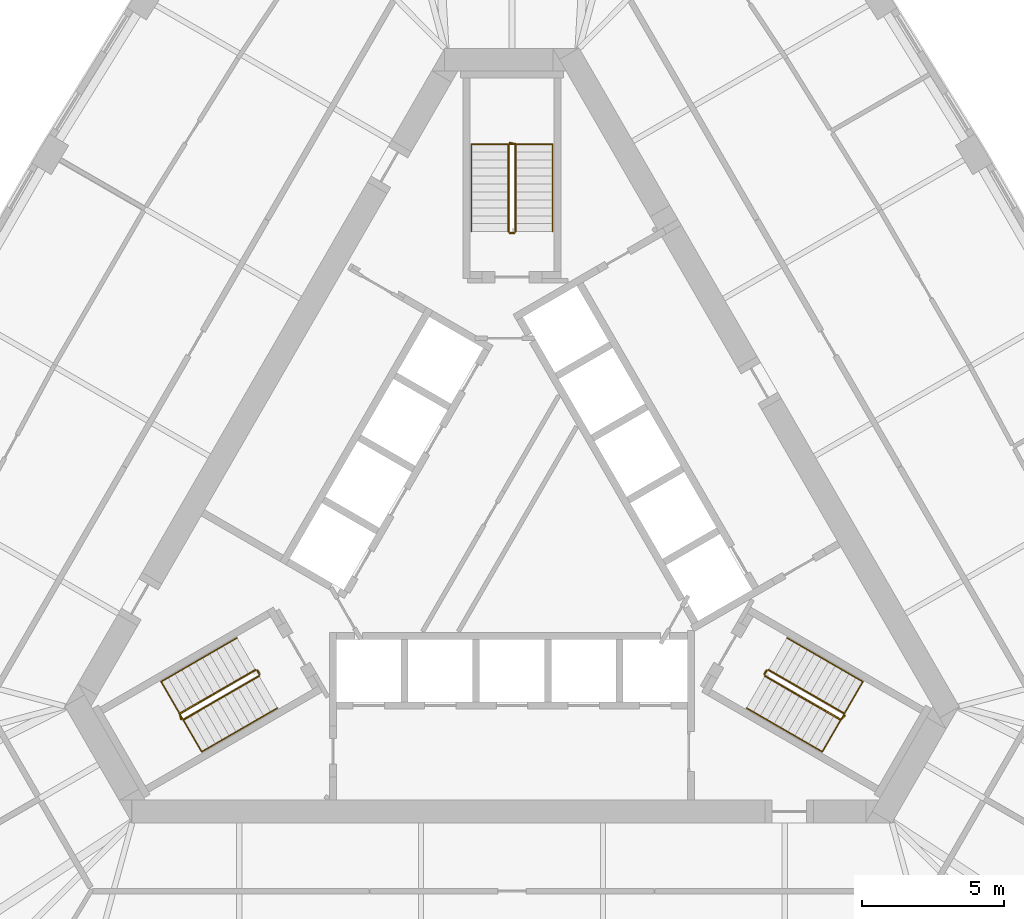
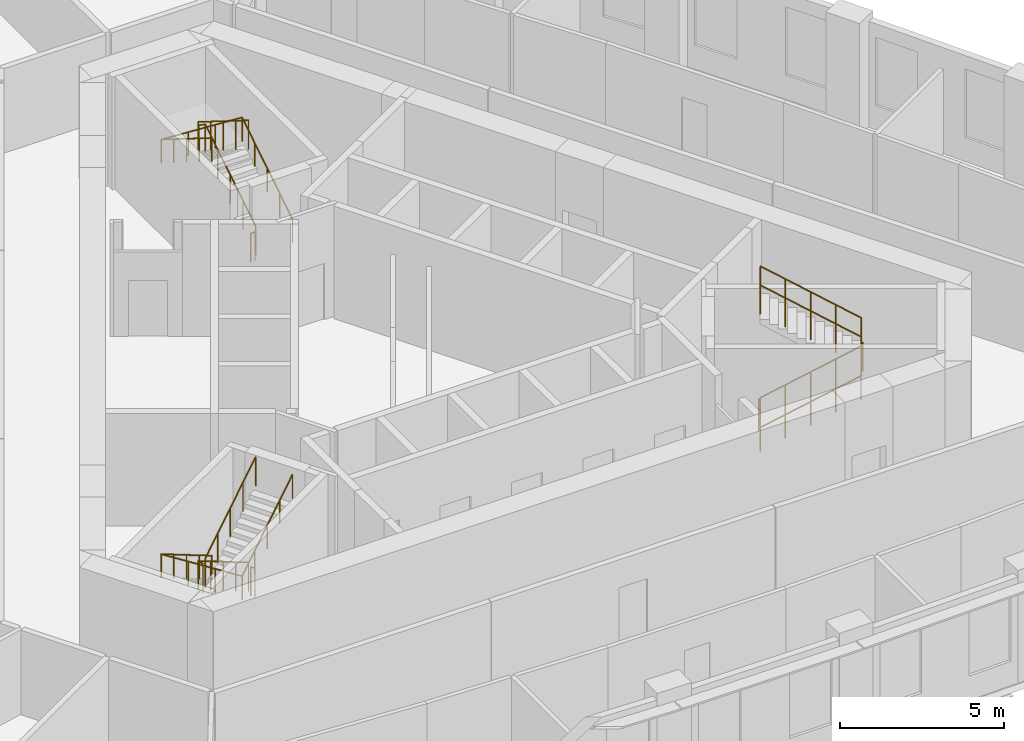
# One storey, part 10 of 10: 12 railings.
"""IFC4 building model written with IfcOpenShell, lengths in metres."""

import ifcopenshell
import ifcopenshell.guid

model = None  # the IFC model being written
_history = None  # IfcOwnerHistory: only IFC2X3 demands one
_inside = {}  # id of a spatial element -> (the spatial element, [elements in it])
_under = {}  # id of a project, library or spatial element -> (it, [spatial elements below it])
_declared = {}  # id of a project -> (the project, [libraries it declares])
_typed = {}  # id of a type object -> (the type object, [elements of that type])
_made_of = {}  # id of a material, layer set ... -> (it, [elements and type objects made of it])


def new_model(schema):
    """Start an empty IFC model of exactly this schema.

    Asked for "IFC4X3", IfcOpenShell would pick the latest addendum, in which some entities
    have other attributes; the version numbers below select the first issue.
    IFC2X3 requires an IfcOwnerHistory on every rooted entity: one is made here for all.
    """
    global model, _history
    if schema == "IFC4X3":
        model = ifcopenshell.file(schema_version=(4, 3, 0, 0))
    else:
        model = ifcopenshell.file(schema=schema)
    _inside.clear()
    _under.clear()
    _declared.clear()
    _typed.clear()
    _made_of.clear()
    _history = None
    if model.schema == "IFC2X3":
        org = make("IfcOrganization", Name="unknown")
        user = make(
            "IfcPersonAndOrganization",
            ThePerson=make("IfcPerson", FamilyName="unknown"),
            TheOrganization=org,
        )
        app = make(
            "IfcApplication",
            ApplicationDeveloper=org,
            Version="unknown",
            ApplicationFullName="unknown",
            ApplicationIdentifier="unknown",
        )
        _history = make(
            "IfcOwnerHistory",
            OwningUser=user,
            OwningApplication=app,
            ChangeAction="ADDED",
            CreationDate=0,
        )
    return model


def make(cls, **values):
    """One entity of the class cls with the attributes given. An attribute that is None is left unset."""
    return model.create_entity(
        cls, **{name: value for name, value in values.items() if value is not None}
    )


def rooted(cls, **values):
    """An entity with a GlobalId (a new one), such as an element, a storey or a relation."""
    return make(cls, GlobalId=ifcopenshell.guid.new(), OwnerHistory=_history, **values)


def si_unit(unit_type, name, prefix=None):
    """IfcSIUnit, for example si_unit("LENGTHUNIT", "METRE", prefix="MILLI")."""
    return make("IfcSIUnit", UnitType=unit_type, Prefix=prefix, Name=name)


def assignment(units):
    """IfcUnitAssignment: the units of a project."""
    return None if units is None else make("IfcUnitAssignment", Units=units)


def point(xyz):
    """IfcCartesianPoint."""
    return None if xyz is None else make("IfcCartesianPoint", Coordinates=xyz)


def direction(xyz):
    """IfcDirection."""
    return None if xyz is None else make("IfcDirection", DirectionRatios=xyz)


def frame(location, z_axis=None, x_axis=None):
    """IfcAxis2Placement3D, a coordinate frame: its origin and axes. An axis left out is left unset."""
    return make(
        "IfcAxis2Placement3D",
        Location=point(location),
        Axis=direction(z_axis),
        RefDirection=direction(x_axis),
    )


def frame_2d(location, x_axis=None):
    """IfcAxis2Placement2D, a coordinate frame in the plane: its origin and x axis."""
    return make(
        "IfcAxis2Placement2D", Location=point(location), RefDirection=direction(x_axis)
    )


def origin():
    """The frame at (0, 0, 0) with its axes left unset."""
    return frame((0.0, 0.0, 0.0))


def origin_2d():
    """The frame at (0, 0) in the plane with its x axis left unset."""
    return frame_2d((0.0, 0.0))


def place(relative_to, where):
    """IfcLocalPlacement: puts the frame where relative to a parent placement (None: the world)."""
    return make(
        "IfcLocalPlacement", PlacementRelTo=relative_to, RelativePlacement=where
    )


def context(
    kind, dimensions, precision=None, world=None, true_north=None, identifier=None
):
    """IfcGeometricRepresentationContext, for example the 3D "Model" context."""
    return make(
        "IfcGeometricRepresentationContext",
        ContextIdentifier=identifier,
        ContextType=kind,
        CoordinateSpaceDimension=dimensions,
        Precision=precision,
        WorldCoordinateSystem=world,
        TrueNorth=true_north,
    )


def subcontext(parent, identifier, kind, view, scale=None):
    """IfcGeometricRepresentationSubContext, for example "Body" below "Model"."""
    return make(
        "IfcGeometricRepresentationSubContext",
        ContextIdentifier=identifier,
        ContextType=kind,
        ParentContext=parent,
        TargetScale=scale,
        TargetView=view,
    )


def project(units=None, contexts=None):
    """IfcProject with its units and contexts."""
    return rooted(
        "IfcProject",
        Name="project",
        RepresentationContexts=contexts,
        UnitsInContext=assignment(units),
    )


def spatial(cls, under=None, at=None, **own):
    """A site, building, storey or space (cls), placed at a placement, below another one or the project."""
    s = rooted(cls, ObjectPlacement=at, **own)
    if under is not None:
        _under.setdefault(under.id(), (under, []))[1].append(s)
    return s


def profile(cls, at=None, kind="AREA", **sizes):
    """A parametric profile (cls). Its sizes go by their IFC names, for example OverallWidth=200.0."""
    return make(cls, ProfileType=kind, Position=at, **sizes)


def circle(**sizes):
    """IfcCircleProfileDef."""
    return profile("IfcCircleProfileDef", **sizes)


def extrude(swept, where, along, depth):
    """IfcExtrudedAreaSolid: the profile swept, set in the frame where, extruded along a direction by depth."""
    return make(
        "IfcExtrudedAreaSolid",
        SweptArea=swept,
        Position=where,
        ExtrudedDirection=direction(along),
        Depth=depth,
    )


def shape(context_of_items, identifier, shape_type, items):
    """IfcShapeRepresentation: the items that make up one representation, for example the "Body"."""
    return make(
        "IfcShapeRepresentation",
        ContextOfItems=context_of_items,
        RepresentationIdentifier=identifier,
        RepresentationType=shape_type,
        Items=items,
    )


def material(Name=None, Category=None):
    """IfcMaterial."""
    return make("IfcMaterial", Name=Name, Category=Category)


def made_of(thing, what):
    """Note that an element or type object is made of a material, layer set ...; save() writes the relation."""
    if what is not None:
        _made_of.setdefault(what.id(), (what, []))[1].append(thing)
    return thing


def type_object(cls, material=None, **own):
    """A type object (cls), such as IfcWallType, which elements share."""
    return made_of(rooted(cls, **own), material)


def element(
    cls,
    number,
    at=None,
    inside=None,
    cuts=None,
    type_object=None,
    material=None,
    context=None,
    identifier="Body",
    shape_type=None,
    held_by="IfcProductDefinitionShape",
    body=None,
    shapes=None,
    **own,
):
    """One element of the class cls, such as IfcWall. Its Tag is "e" and its number.

    at: its placement. inside: the storey or other place that contains it. cuts: it is an
    opening in that element (IfcRelVoidsElement). A single representation is given by context,
    identifier, shape_type and body (its items); several are given by shapes. held_by: the class
    of the entity that holds the representations. save() writes the other relations.
    """
    e = rooted(cls, Tag="e%d" % number, ObjectPlacement=at, **own)
    if body is not None:
        shapes = [shape(context, identifier, shape_type, body)]
    if shapes is not None:
        e.Representation = make(held_by, Representations=shapes)
    if inside is not None:
        _inside.setdefault(inside.id(), (inside, []))[1].append(e)
    if cuts is not None:
        rooted(
            "IfcRelVoidsElement", RelatingBuildingElement=cuts, RelatedOpeningElement=e
        )
    if type_object is not None:
        _typed.setdefault(type_object.id(), (type_object, []))[1].append(e)
    return made_of(e, material)


def aggregate(whole, parts):
    """IfcRelAggregates: a whole, such as a stair, and the parts it consists of."""
    return rooted("IfcRelAggregates", RelatingObject=whole, RelatedObjects=parts)


def save(model, path):
    """Write the relations noted so far, then the file.

    IfcRelAggregates (storeys below a building ...), IfcRelContainedInSpatialStructure (elements
    in a storey), IfcRelDefinesByType, IfcRelAssociatesMaterial and IfcRelDeclares: one each for
    every whole, place, type object, material and project.
    """
    for whole, parts in _under.values():
        aggregate(whole, parts)
    for where, things in _inside.values():
        rooted(
            "IfcRelContainedInSpatialStructure",
            RelatedElements=things,
            RelatingStructure=where,
        )
    for kind, things in _typed.values():
        rooted("IfcRelDefinesByType", RelatedObjects=things, RelatingType=kind)
    for what, things in _made_of.values():
        rooted("IfcRelAssociatesMaterial", RelatedObjects=things, RelatingMaterial=what)
    for by, libraries in _declared.values():
        rooted("IfcRelDeclares", RelatingContext=by, RelatedDefinitions=libraries)
    model.write(path)


model = new_model("IFC4")

# Units and contexts
model_context = context("Model", 3, precision=1e-05, world=origin(), true_north=direction((0.0, 1.0)))
body_context = subcontext(model_context, "Body", "Model", "MODEL_VIEW")
ifc_project = project(units=[si_unit("LENGTHUNIT", "METRE"), si_unit("AREAUNIT", "SQUARE_METRE"), si_unit("VOLUMEUNIT", "CUBIC_METRE"), si_unit("PLANEANGLEUNIT", "RADIAN"), si_unit("MASSUNIT", "GRAM", prefix="KILO")], contexts=[model_context])

# Site, building, storey
site_placement = place(None, origin())
site = spatial("IfcSite", under=ifc_project, at=site_placement, CompositionType="ELEMENT")
building_placement = place(site_placement, origin())
building = spatial("IfcBuilding", under=site, at=building_placement, Name="Mestral Congress Tower", CompositionType="ELEMENT")
storey_placement = place(building_placement, frame((0.0, 0.0, 145.800048828125)))
storey = spatial("IfcBuildingStorey", under=building, at=storey_placement, Name="L34", CompositionType="ELEMENT", Elevation=145.800048828125)

# Railings
ifc_material_1 = material(Name="Steel balustrade", Category="steel")
railing_type_1 = type_object("IfcRailingType", Name="Stair guard 1100", PredefinedType="GUARDRAIL", material=ifc_material_1)
railing_1_placement = place(storey_placement, frame((8.90087890625, -5.283203125, 0.175048828125)))
element("IfcRailing", 1, at=railing_1_placement, inside=storey, type_object=railing_type_1, Name="L34 ST1 stair guard 1", PredefinedType="GUARDRAIL", context=body_context, shape_type="SweptSolid", body=[
    extrude(circle(Radius=0.02392578125, at=origin_2d()), frame((0.0, 0.0, 1.076171875), z_axis=(0.734390191396, -0.42403051051, 0.529970917068), x_axis=(0.500026652407, 0.866010015463, 0.0)), (0.0, 0.0, 1.0), 3.6318359375),
    extrude(circle(Radius=0.02392578125, at=origin_2d()), frame((2.667236328125, -1.5400390625, 3.0009765625), z_axis=(0.695164929852, 0.718850276695, 0.0), x_axis=(-0.718850276695, 0.695164929852, 0.0)), (0.0, 0.0, 1.0), 0.2060546875),
    extrude(circle(Radius=0.02099609375, at=origin_2d()), origin(), (0.0, 0.0, 1.0), 1.052001953125),
    extrude(circle(Radius=0.02099609375, at=origin_2d()), frame((0.666748046875, -0.385009765625, 0.481201171875)), (0.0, 0.0, 1.0), 1.052001953125),
    extrude(circle(Radius=0.02099609375, at=origin_2d()), frame((1.33349609375, -0.77001953125, 0.96240234375)), (0.0, 0.0, 1.0), 1.052001953125),
    extrude(circle(Radius=0.02099609375, at=origin_2d()), frame((2.00048828125, -1.155029296875, 1.443603515625)), (0.0, 0.0, 1.0), 1.052001953125),
    extrude(circle(Radius=0.02099609375, at=origin_2d()), frame((2.667236328125, -1.5400390625, 1.9248046875)), (0.0, 0.0, 1.0), 1.052001953125),
    extrude(circle(Radius=0.02099609375, at=origin_2d()), frame((2.810546875, -1.391845703125, 1.9248046875)), (0.0, 0.0, 1.0), 1.052001953125),
])
railing_2_placement = place(storey_placement, frame((11.693115234375, -6.606689453125, 2.27490234375)))
element("IfcRailing", 2, at=railing_2_placement, inside=storey, type_object=railing_type_1, Name="L34 ST1 stair guard 2", PredefinedType="GUARDRAIL", context=body_context, shape_type="SweptSolid", body=[
    extrude(circle(Radius=0.02392578125, at=origin_2d()), frame((0.0, 0.0, 1.076171875), z_axis=(-0.734364028329, 0.424015404183, 0.530019255228), x_axis=(-0.500026652407, -0.866010015463, 0.0)), (0.0, 0.0, 1.0), 3.632080078125),
    extrude(circle(Radius=0.02099609375, at=origin_2d()), origin(), (0.0, 0.0, 1.0), 1.052001953125),
    extrude(circle(Radius=0.02099609375, at=origin_2d()), frame((-0.666748046875, 0.385009765625, 0.481201171875)), (0.0, 0.0, 1.0), 1.052001953125),
    extrude(circle(Radius=0.02099609375, at=origin_2d()), frame((-1.33349609375, 0.77001953125, 0.96240234375)), (0.0, 0.0, 1.0), 1.052001953125),
    extrude(circle(Radius=0.02099609375, at=origin_2d()), frame((-2.00048828125, 1.155029296875, 1.44384765625)), (0.0, 0.0, 1.0), 1.052001953125),
    extrude(circle(Radius=0.02099609375, at=origin_2d()), frame((-2.667236328125, 1.5400390625, 1.925048828125)), (0.0, 0.0, 1.0), 1.052001953125),
])
railing_3_placement = place(storey_placement, frame((8.882568359375, -5.21484375, 0.0)))
element("IfcRailing", 3, at=railing_3_placement, inside=storey, type_object=railing_type_1, Name="L34 ST1 stair guard 3", PredefinedType="GUARDRAIL", context=body_context, shape_type="SweptSolid", body=[
    extrude(circle(Radius=0.02392578125, at=origin_2d()), frame((0.0, 0.0, 1.076171875), z_axis=(0.499816412211, 0.866131372301, 0.0), x_axis=(-0.866131372301, 0.499816412211, 0.0)), (0.0, 0.0, 1.0), 0.14990234375),
    extrude(circle(Radius=0.02099609375, at=origin_2d()), origin(), (0.0, 0.0, 1.0), 1.052001953125),
    extrude(circle(Radius=0.02099609375, at=origin_2d()), frame((0.074951171875, 0.1298828125, 0.0)), (0.0, 0.0, 1.0), 1.052001953125),
])
railing_4_placement = place(storey_placement, frame((0.125, 10.35009765625, 0.175048828125)))
element("IfcRailing", 4, at=railing_4_placement, inside=storey, type_object=railing_type_1, Name="L34 ST2 stair guard 1", PredefinedType="GUARDRAIL", context=body_context, shape_type="SweptSolid", body=[
    extrude(circle(Radius=0.02392578125, at=origin_2d()), frame((0.0, 0.0, 1.076171875), z_axis=(0.0, 0.848009633417, 0.529980812513), x_axis=(-1.0, 0.0, 0.0)), (0.0, 0.0, 1.0), 3.6318359375),
    extrude(circle(Radius=0.02392578125, at=origin_2d()), frame((0.0, 3.079833984375, 3.0009765625), z_axis=(-0.970072785993, 0.242814311512, 0.0), x_axis=(-0.242814311512, -0.970072785993, 0.0)), (0.0, 0.0, 1.0), 0.2060546875),
    extrude(circle(Radius=0.02099609375, at=origin_2d()), origin(), (0.0, 0.0, 1.0), 1.052001953125),
    extrude(circle(Radius=0.02099609375, at=origin_2d()), frame((0.0, 0.77001953125, 0.481201171875)), (0.0, 0.0, 1.0), 1.052001953125),
    extrude(circle(Radius=0.02099609375, at=origin_2d()), frame((0.0, 1.5400390625, 0.96240234375)), (0.0, 0.0, 1.0), 1.052001953125),
    extrude(circle(Radius=0.02099609375, at=origin_2d()), frame((0.0, 2.309814453125, 1.443603515625)), (0.0, 0.0, 1.0), 1.052001953125),
    extrude(circle(Radius=0.02099609375, at=origin_2d()), frame((0.0, 3.079833984375, 1.9248046875)), (0.0, 0.0, 1.0), 1.052001953125),
    extrude(circle(Radius=0.02099609375, at=origin_2d()), frame((-0.199951171875, 3.1298828125, 1.9248046875)), (0.0, 0.0, 1.0), 1.052001953125),
])
railing_5_placement = place(storey_placement, frame((-0.125, 13.429931640625, 2.27490234375)))
element("IfcRailing", 5, at=railing_5_placement, inside=storey, type_object=railing_type_1, Name="L34 ST2 stair guard 2", PredefinedType="GUARDRAIL", context=body_context, shape_type="SweptSolid", body=[
    extrude(circle(Radius=0.02392578125, at=origin_2d()), frame((0.0, 0.0, 1.076171875), z_axis=(0.0, -0.847979421464, 0.530029150871), x_axis=(1.0, 0.0, 0.0)), (0.0, 0.0, 1.0), 3.632080078125),
    extrude(circle(Radius=0.02099609375, at=origin_2d()), origin(), (0.0, 0.0, 1.0), 1.052001953125),
    extrude(circle(Radius=0.02099609375, at=origin_2d()), frame((0.0, -0.77001953125, 0.481201171875)), (0.0, 0.0, 1.0), 1.052001953125),
    extrude(circle(Radius=0.02099609375, at=origin_2d()), frame((0.0, -1.5400390625, 0.96240234375)), (0.0, 0.0, 1.0), 1.052001953125),
    extrude(circle(Radius=0.02099609375, at=origin_2d()), frame((0.0, -2.309814453125, 1.44384765625)), (0.0, 0.0, 1.0), 1.052001953125),
    extrude(circle(Radius=0.02099609375, at=origin_2d()), frame((0.0, -3.079833984375, 1.925048828125)), (0.0, 0.0, 1.0), 1.052001953125),
])
railing_6_placement = place(storey_placement, frame((0.074951171875, 10.300048828125, 0.0)))
element("IfcRailing", 6, at=railing_6_placement, inside=storey, type_object=railing_type_1, Name="L34 ST2 stair guard 3", PredefinedType="GUARDRAIL", context=body_context, shape_type="SweptSolid", body=[
    extrude(circle(Radius=0.02392578125, at=origin_2d()), frame((0.0, 0.0, 1.076171875), z_axis=(-1.0, 0.0, 0.0), x_axis=(0.0, -1.0, 0.0)), (0.0, 0.0, 1.0), 0.14990234375),
    extrude(circle(Radius=0.02099609375, at=origin_2d()), origin(), (0.0, 0.0, 1.0), 1.052001953125),
    extrude(circle(Radius=0.02099609375, at=origin_2d()), frame((-0.14990234375, 0.0, 0.0)), (0.0, 0.0, 1.0), 1.052001953125),
])
railing_7_placement = place(storey_placement, frame((-9.02587890625, -5.066650390625, 0.175048828125)))
element("IfcRailing", 7, at=railing_7_placement, inside=storey, type_object=railing_type_1, Name="L34 ST3 stair guard 1", PredefinedType="GUARDRAIL", context=body_context, shape_type="SweptSolid", body=[
    extrude(circle(Radius=0.02392578125, at=origin_2d()), frame((0.0, 0.0, 1.076171875), z_axis=(-0.734390191396, -0.42403051051, 0.529970917068), x_axis=(0.500026652407, -0.866010015463, 0.0)), (0.0, 0.0, 1.0), 3.6318359375),
    extrude(circle(Radius=0.02392578125, at=origin_2d()), frame((-2.667236328125, -1.5400390625, 3.0009765625), z_axis=(0.274721127897, -0.961523947641, 0.0), x_axis=(0.961523947641, 0.274721127897, 0.0)), (0.0, 0.0, 1.0), 0.2060546875),
    extrude(circle(Radius=0.02099609375, at=origin_2d()), origin(), (0.0, 0.0, 1.0), 1.052001953125),
    extrude(circle(Radius=0.02099609375, at=origin_2d()), frame((-0.666748046875, -0.385009765625, 0.481201171875)), (0.0, 0.0, 1.0), 1.052001953125),
    extrude(circle(Radius=0.02099609375, at=origin_2d()), frame((-1.33349609375, -0.77001953125, 0.96240234375)), (0.0, 0.0, 1.0), 1.052001953125),
    extrude(circle(Radius=0.02099609375, at=origin_2d()), frame((-2.00048828125, -1.155029296875, 1.443603515625)), (0.0, 0.0, 1.0), 1.052001953125),
    extrude(circle(Radius=0.02099609375, at=origin_2d()), frame((-2.667236328125, -1.5400390625, 1.9248046875)), (0.0, 0.0, 1.0), 1.052001953125),
    extrude(circle(Radius=0.02099609375, at=origin_2d()), frame((-2.610595703125, -1.73828125, 1.9248046875)), (0.0, 0.0, 1.0), 1.052001953125),
])
railing_8_placement = place(storey_placement, frame((-11.568115234375, -6.8232421875, 2.27490234375)))
element("IfcRailing", 8, at=railing_8_placement, inside=storey, type_object=railing_type_1, Name="L34 ST3 stair guard 2", PredefinedType="GUARDRAIL", context=body_context, shape_type="SweptSolid", body=[
    extrude(circle(Radius=0.02392578125, at=origin_2d()), frame((0.0, 0.0, 1.076171875), z_axis=(0.734364028329, 0.424015404183, 0.530019255228), x_axis=(-0.500026652407, 0.866010015463, 0.0)), (0.0, 0.0, 1.0), 3.632080078125),
    extrude(circle(Radius=0.02099609375, at=origin_2d()), origin(), (0.0, 0.0, 1.0), 1.052001953125),
    extrude(circle(Radius=0.02099609375, at=origin_2d()), frame((0.666748046875, 0.385009765625, 0.481201171875)), (0.0, 0.0, 1.0), 1.052001953125),
    extrude(circle(Radius=0.02099609375, at=origin_2d()), frame((1.33349609375, 0.77001953125, 0.96240234375)), (0.0, 0.0, 1.0), 1.052001953125),
    extrude(circle(Radius=0.02099609375, at=origin_2d()), frame((2.00048828125, 1.155029296875, 1.44384765625)), (0.0, 0.0, 1.0), 1.052001953125),
    extrude(circle(Radius=0.02099609375, at=origin_2d()), frame((2.667236328125, 1.5400390625, 1.925048828125)), (0.0, 0.0, 1.0), 1.052001953125),
])
railing_9_placement = place(storey_placement, frame((-8.95751953125, -5.0849609375, 0.0)))
element("IfcRailing", 9, at=railing_9_placement, inside=storey, type_object=railing_type_1, Name="L34 ST3 stair guard 3", PredefinedType="GUARDRAIL", context=body_context, shape_type="SweptSolid", body=[
    extrude(circle(Radius=0.02392578125, at=origin_2d()), frame((0.0, 0.0, 1.076171875), z_axis=(0.499816412211, -0.866131372301, 0.0), x_axis=(0.866131372301, 0.499816412211, 0.0)), (0.0, 0.0, 1.0), 0.14990234375),
    extrude(circle(Radius=0.02099609375, at=origin_2d()), origin(), (0.0, 0.0, 1.0), 1.052001953125),
    extrude(circle(Radius=0.02099609375, at=origin_2d()), frame((0.074951171875, -0.1298828125, 0.0)), (0.0, 0.0, 1.0), 1.052001953125),
])
ifc_material_2 = material(Name="Steel handrail", Category="steel")
railing_type_2 = type_object("IfcRailingType", Name="Stair handrail 900", PredefinedType="HANDRAIL", material=ifc_material_2)
railing_10_placement = place(storey_placement, frame((8.2509765625, -6.4091796875, 0.175048828125)))
element("IfcRailing", 10, at=railing_10_placement, inside=storey, type_object=railing_type_2, Name="L34 ST1 stair handrail 1", PredefinedType="HANDRAIL", context=body_context, shape_type="SweptSolid", body=[
    extrude(circle(Radius=0.02392578125, at=origin_2d()), frame((0.0, 0.0, 0.8759765625), z_axis=(0.734411123532, -0.423975373557, 0.529986022693), x_axis=(0.499967199496, 0.866044340336, 0.0)), (0.0, 0.0, 1.0), 3.6318359375),
    extrude(circle(Radius=0.02392578125, at=origin_2d()), frame((2.667236328125, -1.539794921875, 2.80078125), z_axis=(0.499095769026, 0.864375386171, 0.061307463833), x_axis=(-0.866004402611, 0.500036373335, 0.0)), (0.0, 0.0, 1.0), 2.855224609375),
    extrude(circle(Radius=0.02392578125, at=origin_2d()), frame((4.09228515625, 0.92822265625, 2.9755859375), z_axis=(-0.734394994316, 0.423994474112, 0.52999309264), x_axis=(-0.499992328818, -0.866029832698, 0.0)), (0.0, 0.0, 1.0), 3.63232421875),
    extrude(circle(Radius=0.02099609375, at=origin_2d()), origin(), (0.0, 0.0, 1.0), 0.851806640625),
    extrude(circle(Radius=0.02099609375, at=origin_2d()), frame((0.666748046875, -0.385009765625, 0.481201171875)), (0.0, 0.0, 1.0), 0.851806640625),
    extrude(circle(Radius=0.02099609375, at=origin_2d()), frame((1.33349609375, -0.77001953125, 0.96240234375)), (0.0, 0.0, 1.0), 0.851806640625),
    extrude(circle(Radius=0.02099609375, at=origin_2d()), frame((2.00048828125, -1.15478515625, 1.443603515625)), (0.0, 0.0, 1.0), 0.851806640625),
    extrude(circle(Radius=0.02099609375, at=origin_2d()), frame((2.667236328125, -1.539794921875, 1.9248046875)), (0.0, 0.0, 1.0), 0.851806640625),
    extrude(circle(Radius=0.02099609375, at=origin_2d()), frame((3.142333984375, -0.717041015625, 1.983154296875)), (0.0, 0.0, 1.0), 0.851806640625),
    extrude(circle(Radius=0.02099609375, at=origin_2d()), frame((3.6171875, 0.10546875, 2.04150390625)), (0.0, 0.0, 1.0), 0.851806640625),
    extrude(circle(Radius=0.02099609375, at=origin_2d()), frame((4.09228515625, 0.92822265625, 2.099853515625)), (0.0, 0.0, 1.0), 0.851806640625),
    extrude(circle(Radius=0.02099609375, at=origin_2d()), frame((3.42529296875, 1.313232421875, 2.5810546875)), (0.0, 0.0, 1.0), 0.851806640625),
    extrude(circle(Radius=0.02099609375, at=origin_2d()), frame((2.758544921875, 1.6982421875, 3.0625)), (0.0, 0.0, 1.0), 0.851806640625),
    extrude(circle(Radius=0.02099609375, at=origin_2d()), frame((2.091796875, 2.083251953125, 3.543701171875)), (0.0, 0.0, 1.0), 0.851806640625),
    extrude(circle(Radius=0.02099609375, at=origin_2d()), frame((1.4248046875, 2.46826171875, 4.02490234375)), (0.0, 0.0, 1.0), 0.851806640625),
])
railing_11_placement = place(storey_placement, frame((1.425048828125, 10.35009765625, 0.175048828125)))
element("IfcRailing", 11, at=railing_11_placement, inside=storey, type_object=railing_type_2, Name="L34 ST2 stair handrail 1", PredefinedType="HANDRAIL", context=body_context, shape_type="SweptSolid", body=[
    extrude(circle(Radius=0.02392578125, at=origin_2d()), frame((0.0, 0.0, 0.8759765625), z_axis=(0.0, 0.848009633417, 0.529980812513), x_axis=(-1.0, 0.0, 0.0)), (0.0, 0.0, 1.0), 3.6318359375),
    extrude(circle(Radius=0.02392578125, at=origin_2d()), frame((0.0, 3.079833984375, 2.80078125), z_axis=(-0.998119201106, 0.0, 0.061303021003), x_axis=(0.0, -1.0, 0.0)), (0.0, 0.0, 1.0), 2.85546875),
    extrude(circle(Radius=0.02392578125, at=origin_2d()), frame((-2.85009765625, 3.079833984375, 2.9755859375), z_axis=(0.0, -0.847979421464, 0.530029150871), x_axis=(1.0, 0.0, 0.0)), (0.0, 0.0, 1.0), 3.632080078125),
    extrude(circle(Radius=0.02099609375, at=origin_2d()), origin(), (0.0, 0.0, 1.0), 0.851806640625),
    extrude(circle(Radius=0.02099609375, at=origin_2d()), frame((0.0, 0.77001953125, 0.481201171875)), (0.0, 0.0, 1.0), 0.851806640625),
    extrude(circle(Radius=0.02099609375, at=origin_2d()), frame((0.0, 1.5400390625, 0.96240234375)), (0.0, 0.0, 1.0), 0.851806640625),
    extrude(circle(Radius=0.02099609375, at=origin_2d()), frame((0.0, 2.309814453125, 1.443603515625)), (0.0, 0.0, 1.0), 0.851806640625),
    extrude(circle(Radius=0.02099609375, at=origin_2d()), frame((0.0, 3.079833984375, 1.9248046875)), (0.0, 0.0, 1.0), 0.851806640625),
    extrude(circle(Radius=0.02099609375, at=origin_2d()), frame((-0.949951171875, 3.079833984375, 1.983154296875)), (0.0, 0.0, 1.0), 0.851806640625),
    extrude(circle(Radius=0.02099609375, at=origin_2d()), frame((-1.900146484375, 3.079833984375, 2.04150390625)), (0.0, 0.0, 1.0), 0.851806640625),
    extrude(circle(Radius=0.02099609375, at=origin_2d()), frame((-2.85009765625, 3.079833984375, 2.099853515625)), (0.0, 0.0, 1.0), 0.851806640625),
    extrude(circle(Radius=0.02099609375, at=origin_2d()), frame((-2.85009765625, 2.309814453125, 2.5810546875)), (0.0, 0.0, 1.0), 0.851806640625),
    extrude(circle(Radius=0.02099609375, at=origin_2d()), frame((-2.85009765625, 1.5400390625, 3.0625)), (0.0, 0.0, 1.0), 0.851806640625),
    extrude(circle(Radius=0.02099609375, at=origin_2d()), frame((-2.85009765625, 0.77001953125, 3.543701171875)), (0.0, 0.0, 1.0), 0.851806640625),
    extrude(circle(Radius=0.02099609375, at=origin_2d()), frame((-2.85009765625, 0.0, 4.02490234375)), (0.0, 0.0, 1.0), 0.851806640625),
])
railing_12_placement = place(storey_placement, frame((-9.67578125, -3.94091796875, 0.175048828125)))
element("IfcRailing", 12, at=railing_12_placement, inside=storey, type_object=railing_type_2, Name="L34 ST3 stair handrail 1", PredefinedType="HANDRAIL", context=body_context, shape_type="SweptSolid", body=[
    extrude(circle(Radius=0.02392578125, at=origin_2d()), frame((0.0, 0.0, 0.8759765625), z_axis=(-0.734421155904, -0.424009578203, 0.529944755001), x_axis=(0.499992328818, -0.866029832698, 0.0)), (0.0, 0.0, 1.0), 3.632080078125),
    extrude(circle(Radius=0.02392578125, at=origin_2d()), frame((-2.66748046875, -1.5400390625, 2.80078125), z_axis=(0.499095769026, -0.864375386171, 0.061307463833), x_axis=(0.866004402611, 0.500036373335, 0.0)), (0.0, 0.0, 1.0), 2.855224609375),
    extrude(circle(Radius=0.02392578125, at=origin_2d()), frame((-1.242431640625, -4.008056640625, 2.9755859375), z_axis=(0.734384958227, 0.423960268333, 0.530034361155), x_axis=(-0.499967199496, 0.866044340336, 0.0)), (0.0, 0.0, 1.0), 3.6318359375),
    extrude(circle(Radius=0.02099609375, at=origin_2d()), origin(), (0.0, 0.0, 1.0), 0.851806640625),
    extrude(circle(Radius=0.02099609375, at=origin_2d()), frame((-0.6669921875, -0.385009765625, 0.481201171875)), (0.0, 0.0, 1.0), 0.851806640625),
    extrude(circle(Radius=0.02099609375, at=origin_2d()), frame((-1.333740234375, -0.77001953125, 0.96240234375)), (0.0, 0.0, 1.0), 0.851806640625),
    extrude(circle(Radius=0.02099609375, at=origin_2d()), frame((-2.00048828125, -1.155029296875, 1.443603515625)), (0.0, 0.0, 1.0), 0.851806640625),
    extrude(circle(Radius=0.02099609375, at=origin_2d()), frame((-2.66748046875, -1.5400390625, 1.9248046875)), (0.0, 0.0, 1.0), 0.851806640625),
    extrude(circle(Radius=0.02099609375, at=origin_2d()), frame((-2.1923828125, -2.36279296875, 1.983154296875)), (0.0, 0.0, 1.0), 0.851806640625),
    extrude(circle(Radius=0.02099609375, at=origin_2d()), frame((-1.717529296875, -3.185302734375, 2.04150390625)), (0.0, 0.0, 1.0), 0.851806640625),
    extrude(circle(Radius=0.02099609375, at=origin_2d()), frame((-1.242431640625, -4.008056640625, 2.099853515625)), (0.0, 0.0, 1.0), 0.851806640625),
    extrude(circle(Radius=0.02099609375, at=origin_2d()), frame((-0.57568359375, -3.623046875, 2.5810546875)), (0.0, 0.0, 1.0), 0.851806640625),
    extrude(circle(Radius=0.02099609375, at=origin_2d()), frame((0.09130859375, -3.23828125, 3.0625)), (0.0, 0.0, 1.0), 0.851806640625),
    extrude(circle(Radius=0.02099609375, at=origin_2d()), frame((0.758056640625, -2.853271484375, 3.543701171875)), (0.0, 0.0, 1.0), 0.851806640625),
    extrude(circle(Radius=0.02099609375, at=origin_2d()), frame((1.4248046875, -2.46826171875, 4.02490234375)), (0.0, 0.0, 1.0), 0.851806640625),
])

save(model, "model.ifc")
